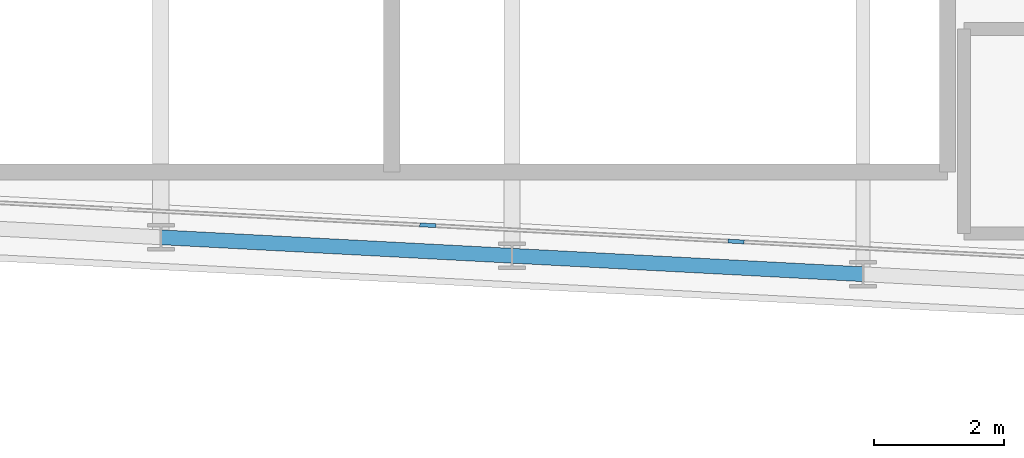
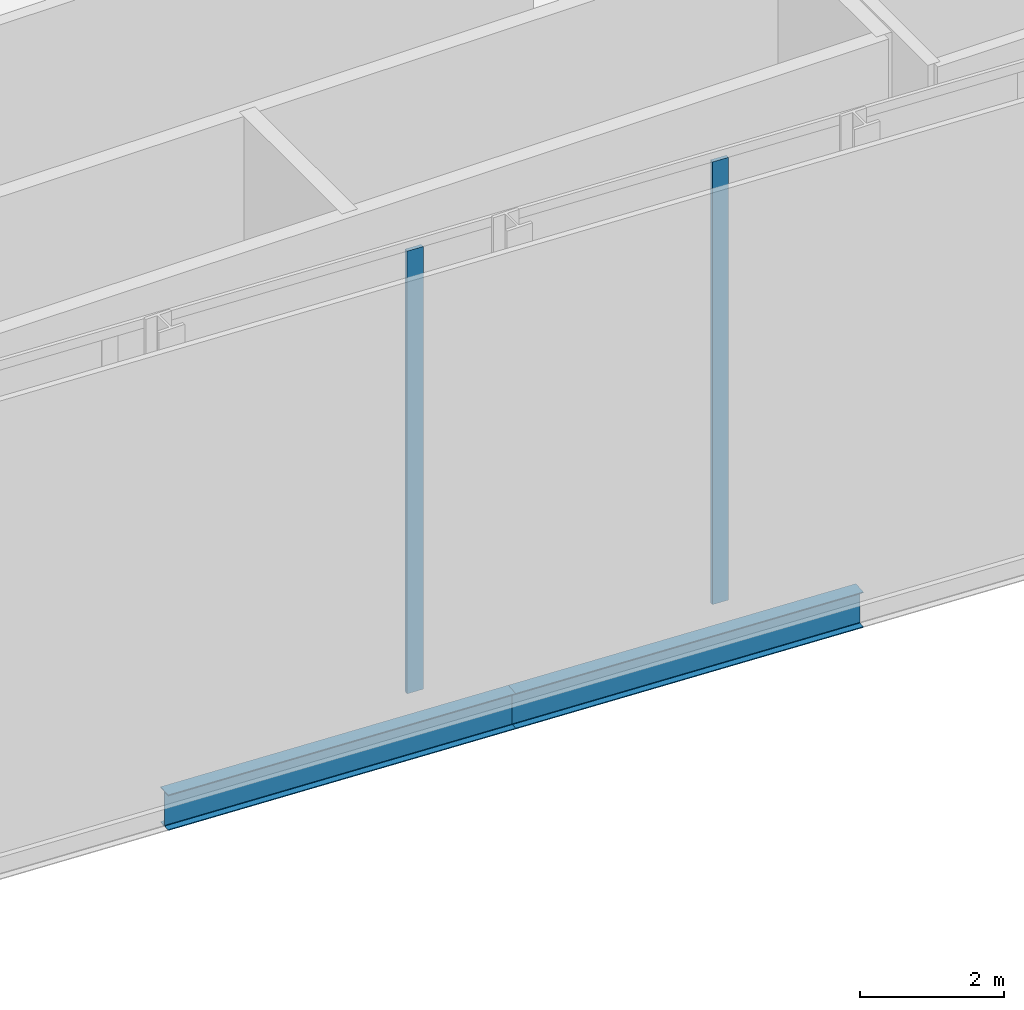
# One storey, part 7 of 37: 2 beams, 2 members, 1 element without a shape of its own.
"""IFC4 building model written with IfcOpenShell, lengths in metres."""

from ifc_helpers import new_model, si_unit, direction, frame, origin, origin_2d, place, context, subcontext, project, spatial, rectangle, i_section, extrude, material, layer, layer_set, material_profile, profile_set, type_object, element, aggregate, save


model = new_model("IFC4")

# Units and contexts
model_context = context("Model", 3, precision=1e-05, world=origin(), true_north=direction((0.0, 1.0)))
body_context = subcontext(model_context, "Body", "Model", "MODEL_VIEW")
ifc_project = project(units=[si_unit("LENGTHUNIT", "METRE"), si_unit("AREAUNIT", "SQUARE_METRE"), si_unit("VOLUMEUNIT", "CUBIC_METRE"), si_unit("PLANEANGLEUNIT", "RADIAN"), si_unit("MASSUNIT", "GRAM", prefix="KILO")], contexts=[model_context])

# Site, building, storey
site_placement = place(None, origin())
site = spatial("IfcSite", under=ifc_project, at=site_placement, CompositionType="ELEMENT")
building_placement = place(site_placement, origin())
building = spatial("IfcBuilding", under=site, at=building_placement, Name="Kheshtan School and Residences Tower", CompositionType="ELEMENT")
storey_placement = place(building_placement, frame((0.0, 0.0, 144.800048828125)))
storey = spatial("IfcBuildingStorey", under=building, at=storey_placement, Name="L34", CompositionType="ELEMENT", Elevation=144.800048828125)

# Beams
ifc_material_1 = material(Name="Steel ASTM A992 Grade 50", Category="steel")
ifc_material_profile_1 = material_profile(ifc_material_1, i_section(OverallWidth=0.22802734375, OverallDepth=0.60302734375, WebThickness=0.010498046875, FlangeThickness=0.014892578125, FilletRadius=0.013427734375, at=origin_2d()), Name="W610x101")
ifc_profile_set_1 = profile_set([ifc_material_profile_1], Name="Steel ASTM A992 Grade 50")
beam_type = type_object("IfcBeamType", Name="Beam SP2 W610x101 ASTM A992 Grade 50", PredefinedType="BEAM", material=ifc_profile_set_1)
beam_1_placement = place(storey_placement, frame((69.199951171875, 22.126953125, -0.45166015625), z_axis=(-0.998620447272, 0.05250906864, 0.0), x_axis=(-0.05250906864, -0.998620447272, 0.0)))
element("IfcBeam", 1, at=beam_1_placement, inside=storey, type_object=beam_type, Name="Spandrel beam C014-C016", PredefinedType="BEAM", context=body_context, shape_type="SweptSolid", body=[
    extrude(i_section(OverallWidth=0.22802734375, OverallDepth=0.60302734375, WebThickness=0.010498046875, FlangeThickness=0.014892578125, FilletRadius=0.013427734375, at=origin_2d()), origin(), (0.0, 0.0, 1.0), 5.407470703125),
])
beam_2_placement = place(storey_placement, frame((63.800048828125, 22.410888671875, -0.45166015625), z_axis=(-0.998618203458, 0.052551724256, 0.0), x_axis=(-0.052551724256, -0.998618203458, 0.0)))
element("IfcBeam", 2, at=beam_2_placement, inside=storey, type_object=beam_type, Name="Spandrel beam C016-C018", PredefinedType="BEAM", context=body_context, shape_type="SweptSolid", body=[
    extrude(i_section(OverallWidth=0.22802734375, OverallDepth=0.60302734375, WebThickness=0.010498046875, FlangeThickness=0.014892578125, FilletRadius=0.013427734375, at=origin_2d()), origin(), (0.0, 0.0, 1.0), 5.40771484375),
])

# Curtain wall, members
ifc_material_2 = material(Name="Clear low-e glass in thermally broken aluminium frame", Category="aluminium")
ifc_layer = layer(ifc_material_2, 0.25)
ifc_layer_set = layer_set([ifc_layer], Name="Curtain wall CW-K")
curtain_wall_type = type_object("IfcCurtainWallType", Name="Curtain wall CW-K", PredefinedType="NOTDEFINED", material=ifc_layer_set)
curtain_wall_placement = place(storey_placement, origin())
curtain_wall = element("IfcCurtainWall", 3, at=curtain_wall_placement, inside=storey, type_object=curtain_wall_type, Name="Curtain wall CWK14", PredefinedType="NOTDEFINED")
ifc_material_3 = material(Name="Thermally broken aluminium, dark bronze anodised", Category="aluminium")
ifc_material_profile_2 = material_profile(ifc_material_3, rectangle(XDim=0.06005859375, YDim=0.25, at=origin_2d()), Name="CW-K mullion 60x250")
ifc_profile_set_2 = profile_set([ifc_material_profile_2], Name="Thermally broken aluminium, dark bronze anodised")
member_type = type_object("IfcMemberType", Name="CW-K mullion 60x250", PredefinedType="MULLION", material=ifc_profile_set_2)
member_1_placement = place(storey_placement, frame((67.246826171875, 22.630126953125, 0.0), z_axis=(0.0, 0.0, 1.0), x_axis=(-0.052569888839, -0.998617247391, 0.0)))
member_1 = element("IfcMember", 4, at=member_1_placement, type_object=member_type, Name="CWK14 mullion 8", PredefinedType="MULLION", context=body_context, shape_type="SweptSolid", body=[
    extrude(rectangle(XDim=0.06005859375, YDim=0.25, at=origin_2d()), origin(), (0.0, 0.0, 1.0), 7.489990234375),
])
member_2_placement = place(storey_placement, frame((62.505859375, 22.879638671875, 0.0), z_axis=(0.0, 0.0, 1.0), x_axis=(-0.052569888839, -0.998617247391, 0.0)))
member_2 = element("IfcMember", 5, at=member_2_placement, type_object=member_type, Name="CWK14 mullion 9", PredefinedType="MULLION", context=body_context, shape_type="SweptSolid", body=[
    extrude(rectangle(XDim=0.06005859375, YDim=0.25, at=origin_2d()), origin(), (0.0, 0.0, 1.0), 7.489990234375),
])
aggregate(curtain_wall, [member_1, member_2])

save(model, "model.ifc")
